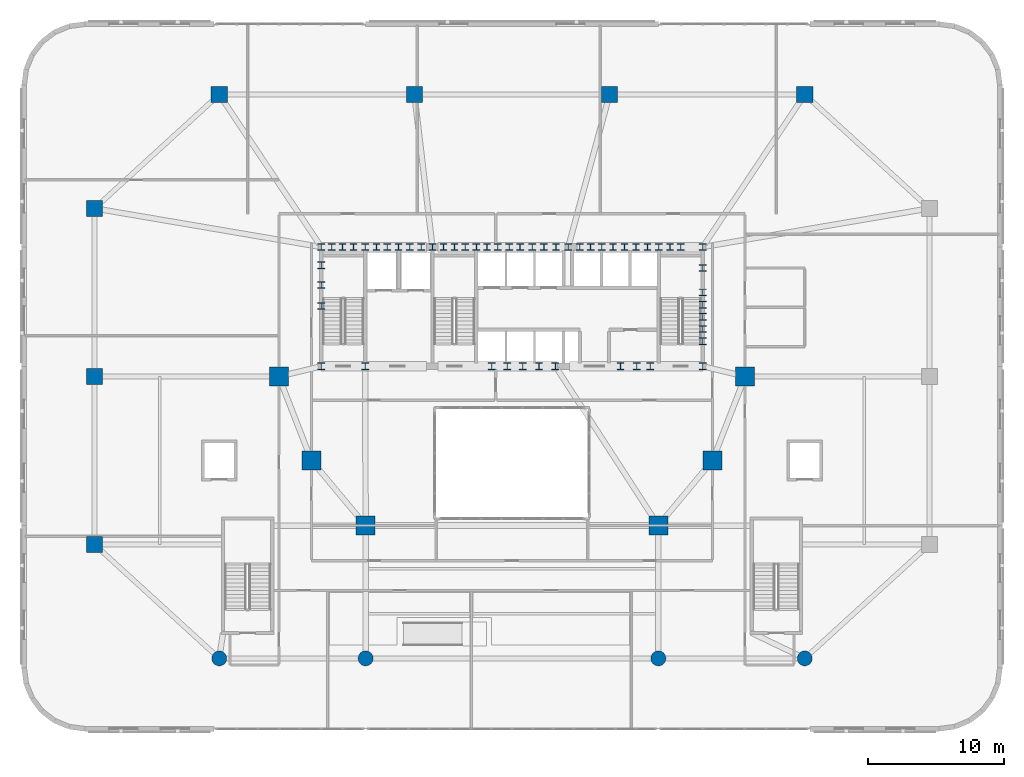
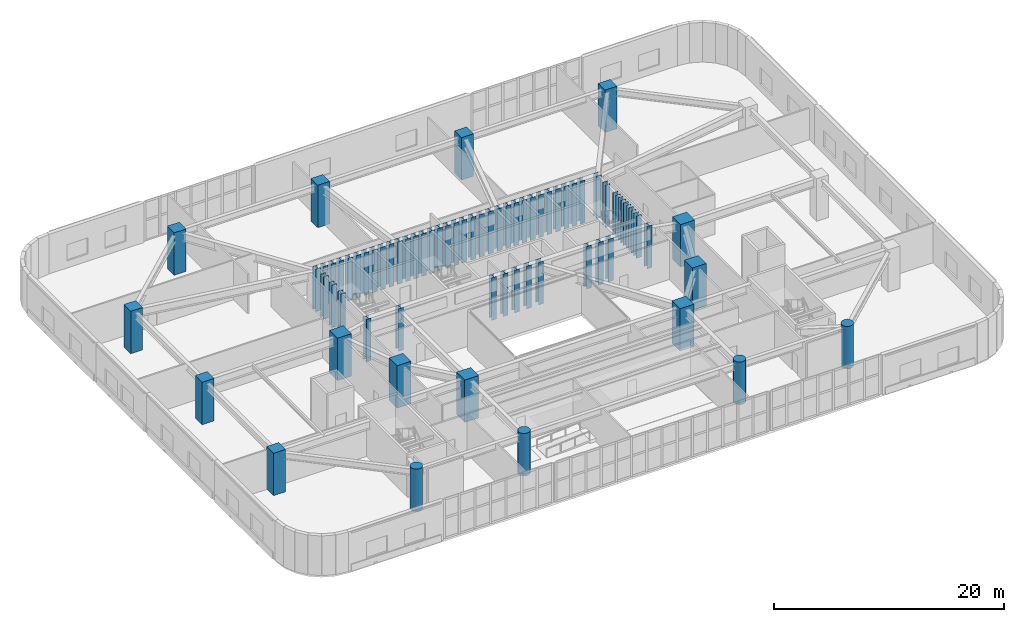
# One storey, part 1 of 25: 71 columns.
"""IFC4 building model written with IfcOpenShell, lengths in metres."""

from ifc_helpers import new_model, si_unit, direction, frame, origin, origin_2d, place, context, subcontext, project, spatial, rectangle, circle, i_section, extrude, material, material_profile, profile_set, type_object, element, save


model = new_model("IFC4")

# Units and contexts
model_context = context("Model", 3, precision=1e-05, world=origin(), true_north=direction((0.0, 1.0)))
body_context = subcontext(model_context, "Body", "Model", "MODEL_VIEW")
ifc_project = project(units=[si_unit("LENGTHUNIT", "METRE"), si_unit("AREAUNIT", "SQUARE_METRE"), si_unit("VOLUMEUNIT", "CUBIC_METRE"), si_unit("PLANEANGLEUNIT", "RADIAN"), si_unit("MASSUNIT", "GRAM", prefix="KILO")], contexts=[model_context])

# Site, building, storey
site_placement = place(None, origin())
site = spatial("IfcSite", under=ifc_project, at=site_placement, CompositionType="ELEMENT")
building_placement = place(site_placement, origin())
building = spatial("IfcBuilding", under=site, at=building_placement, Name="Haldorwick Loom Tower", CompositionType="ELEMENT")
storey_placement = place(building_placement, frame((0.0, 0.0, 6.0)))
storey = spatial("IfcBuildingStorey", under=building, at=storey_placement, Name="L01", CompositionType="ELEMENT", Elevation=6.0)

# Columns
ifc_material_1 = material(Name="Concrete C60 (60 MPa)", Category="concrete")
ifc_material_profile_1 = material_profile(ifc_material_1, rectangle(XDim=1.39990234375, YDim=1.39990234375, at=origin_2d()), Name="RC1400X1400", Category="concrete")
ifc_profile_set_1 = profile_set([ifc_material_profile_1], Name="Concrete C60 (60 MPa)")
column_type_1 = type_object("IfcColumnType", Name="STR-COL-MEGA1400", PredefinedType="COLUMN", material=ifc_profile_set_1)
for number, where, z_axis, x_axis, name in (
    (1, (53.199951171875, 26.0, 0.0), (0.0, 0.0, 1.0), (1.0, 0.0, 0.0), "L01 Inner Column IC-01"),
    (2, (50.800048828125, 19.800048828125, 0.0), (0.0, 0.0, 1.0), (1.0, 0.0, 0.0), "L01 Inner Column IC-02"),
    (3, (21.199951171875, 19.800048828125, 0.0), (0.0, 0.0, 1.0), (1.0, 0.0, 0.0), "L01 Inner Column IC-07"),
    (4, (18.800048828125, 26.0, 0.0), (0.0, 0.0, 1.0), (1.0, 0.0, 0.0), "L01 Inner Column IC-08"),
    (5, (25.199951171875, 15.0, 0.0), (0.0, 0.0, 1.0), (1.0, 0.0, 0.0), "L01 Podium Column PC-TW"),
    (6, (46.800048828125, 15.0, 0.0), (0.0, 0.0, 1.0), (1.0, 0.0, 0.0), "L01 Podium Column PC-TE"),
):
    element("IfcColumn", number, at=place(storey_placement, frame(where, z_axis=z_axis, x_axis=x_axis)), inside=storey, type_object=column_type_1, Name=name, PredefinedType="COLUMN", context=body_context, shape_type="SweptSolid", body=[
        extrude(rectangle(XDim=1.39990234375, YDim=1.39990234375, at=origin_2d()), origin(), (0.0, 0.0, 1.0), 4.5),
    ])
ifc_material_profile_2 = material_profile(ifc_material_1, rectangle(XDim=1.199951171875, YDim=1.199951171875, at=origin_2d()), Name="RC1200X1200", Category="concrete")
ifc_profile_set_2 = profile_set([ifc_material_profile_2], Name="Concrete C60 (60 MPa)")
column_type_2 = type_object("IfcColumnType", Name="STR-COL-RC1200", PredefinedType="COLUMN", material=ifc_profile_set_2)
for number, where, z_axis, x_axis, name in (
    (7, (14.39990234375, 46.800048828125, 0.0), (0.0, 0.0, 1.0), (1.0, 0.0, 0.0), "L01 Podium Column PC-N1"),
    (8, (28.800048828125, 46.800048828125, 0.0), (0.0, 0.0, 1.0), (1.0, 0.0, 0.0), "L01 Podium Column PC-N2"),
    (9, (43.199951171875, 46.800048828125, 0.0), (0.0, 0.0, 1.0), (1.0, 0.0, 0.0), "L01 Podium Column PC-N3"),
    (10, (57.60009765625, 46.800048828125, 0.0), (0.0, 0.0, 1.0), (1.0, 0.0, 0.0), "L01 Podium Column PC-N4"),
    (11, (5.199951171875, 13.60009765625, 0.0), (0.0, 0.0, 1.0), (1.0, 0.0, 0.0), "L01 Podium Column PC-W1"),
    (12, (5.199951171875, 26.0, 0.0), (0.0, 0.0, 1.0), (1.0, 0.0, 0.0), "L01 Podium Column PC-W2"),
    (13, (5.199951171875, 38.39990234375, 0.0), (0.0, 0.0, 1.0), (1.0, 0.0, 0.0), "L01 Podium Column PC-W3"),
):
    element("IfcColumn", number, at=place(storey_placement, frame(where, z_axis=z_axis, x_axis=x_axis)), inside=storey, type_object=column_type_2, Name=name, PredefinedType="COLUMN", context=body_context, shape_type="SweptSolid", body=[
        extrude(rectangle(XDim=1.199951171875, YDim=1.199951171875, at=origin_2d()), origin(), (0.0, 0.0, 1.0), 4.5),
    ])
ifc_material_profile_3 = material_profile(ifc_material_1, circle(Radius=0.550048828125, at=origin_2d()), Name="RCD1100", Category="concrete")
ifc_profile_set_3 = profile_set([ifc_material_profile_3], Name="Concrete C60 (60 MPa)")
column_type_3 = type_object("IfcColumnType", Name="STR-COL-RCD1100", PredefinedType="COLUMN", material=ifc_profile_set_3)
for number, where, z_axis, x_axis, name in (
    (14, (14.39990234375, 5.199951171875, 0.0), (0.0, 0.0, 1.0), (1.0, 0.0, 0.0), "L01 Podium Column PC-S1"),
    (15, (25.199951171875, 5.199951171875, 0.0), (0.0, 0.0, 1.0), (1.0, 0.0, 0.0), "L01 Podium Column PC-S2"),
    (16, (46.800048828125, 5.199951171875, 0.0), (0.0, 0.0, 1.0), (1.0, 0.0, 0.0), "L01 Podium Column PC-S3"),
    (17, (57.60009765625, 5.199951171875, 0.0), (0.0, 0.0, 1.0), (1.0, 0.0, 0.0), "L01 Podium Column PC-S4"),
):
    element("IfcColumn", number, at=place(storey_placement, frame(where, z_axis=z_axis, x_axis=x_axis)), inside=storey, type_object=column_type_3, Name=name, PredefinedType="COLUMN", context=body_context, shape_type="SweptSolid", body=[
        extrude(circle(Radius=0.550048828125, at=origin_2d()), origin(), (0.0, 0.0, 1.0), 4.5),
    ])
ifc_material_2 = material(Name="Steel CSA G40.21 350WT", Category="steel")
ifc_material_profile_4 = material_profile(ifc_material_2, i_section(OverallWidth=0.5, OverallDepth=0.5, WebThickness=0.02197265625, FlangeThickness=0.031982421875, at=origin_2d()), Name="WWF500X500", Category="steel")
ifc_profile_set_4 = profile_set([ifc_material_profile_4], Name="Steel CSA G40.21 350WT")
column_type_4 = type_object("IfcColumnType", Name="STR-COL-WWF500", PredefinedType="COLUMN", material=ifc_profile_set_4)
for number, where, z_axis, x_axis, name in (
    (18, (21.929931640625, 35.550048828125, 0.0), (0.0, 0.0, 1.0), (1.0, 0.0, 0.0), "L01 Core Pilaster CB-01"),
    (19, (23.5, 35.550048828125, 0.0), (0.0, 0.0, 1.0), (1.0, 0.0, 0.0), "L01 Core Pilaster CB-02"),
    (20, (25.169921875, 35.550048828125, 0.0), (0.0, 0.0, 1.0), (1.0, 0.0, 0.0), "L01 Core Pilaster CB-03"),
    (21, (26.800048828125, 35.550048828125, 0.0), (0.0, 0.0, 1.0), (1.0, 0.0, 0.0), "L01 Core Pilaster CB-04"),
    (22, (28.449951171875, 35.550048828125, 0.0), (0.0, 0.0, 1.0), (1.0, 0.0, 0.0), "L01 Core Pilaster CB-05"),
    (23, (30.1298828125, 35.550048828125, 0.0), (0.0, 0.0, 1.0), (1.0, 0.0, 0.0), "L01 Core Pilaster CB-06"),
    (24, (31.75, 35.550048828125, 0.0), (0.0, 0.0, 1.0), (1.0, 0.0, 0.0), "L01 Core Pilaster CB-07"),
    (25, (33.3701171875, 35.550048828125, 0.0), (0.0, 0.0, 1.0), (1.0, 0.0, 0.0), "L01 Core Pilaster CB-08"),
    (26, (34.949951171875, 35.550048828125, 0.0), (0.0, 0.0, 1.0), (1.0, 0.0, 0.0), "L01 Core Pilaster CB-09"),
    (27, (36.60009765625, 35.550048828125, 0.0), (0.0, 0.0, 1.0), (1.0, 0.0, 0.0), "L01 Core Pilaster CB-10"),
    (28, (38.35009765625, 35.550048828125, 0.0), (0.0, 0.0, 1.0), (1.0, 0.0, 0.0), "L01 Core Pilaster CB-11"),
    (29, (40.14990234375, 35.550048828125, 0.0), (0.0, 0.0, 1.0), (1.0, 0.0, 0.0), "L01 Core Pilaster CB-12"),
    (30, (41.800048828125, 35.550048828125, 0.0), (0.0, 0.0, 1.0), (1.0, 0.0, 0.0), "L01 Core Pilaster CB-13"),
    (31, (43.449951171875, 35.550048828125, 0.0), (0.0, 0.0, 1.0), (1.0, 0.0, 0.0), "L01 Core Pilaster CB-14"),
    (32, (45.14990234375, 35.550048828125, 0.0), (0.0, 0.0, 1.0), (1.0, 0.0, 0.0), "L01 Core Pilaster CB-15"),
    (33, (46.830078125, 35.550048828125, 0.0), (0.0, 0.0, 1.0), (1.0, 0.0, 0.0), "L01 Core Pilaster CB-16"),
    (34, (48.449951171875, 35.550048828125, 0.0), (0.0, 0.0, 1.0), (1.0, 0.0, 0.0), "L01 Core Pilaster CB-17"),
    (35, (50.070068359375, 35.550048828125, 0.0), (0.0, 0.0, 1.0), (1.0, 0.0, 0.0), "L01 Core Pilaster CB-18"),
    (36, (21.929931640625, 26.75, 0.0), (0.0, 0.0, 1.0), (1.0, 0.0, 0.0), "L01 Core Pilaster CB-19"),
    (37, (25.169921875, 26.75, 0.0), (0.0, 0.0, 1.0), (1.0, 0.0, 0.0), "L01 Core Pilaster CB-20"),
    (38, (34.5, 26.75, 0.0), (0.0, 0.0, 1.0), (1.0, 0.0, 0.0), "L01 Core Pilaster CB-21"),
    (39, (36.800048828125, 26.75, 0.0), (0.0, 0.0, 1.0), (1.0, 0.0, 0.0), "L01 Core Pilaster CB-22"),
    (40, (39.199951171875, 26.75, 0.0), (0.0, 0.0, 1.0), (1.0, 0.0, 0.0), "L01 Core Pilaster CB-23"),
    (41, (45.199951171875, 26.75, 0.0), (0.0, 0.0, 1.0), (1.0, 0.0, 0.0), "L01 Core Pilaster CB-24"),
    (42, (50.070068359375, 26.75, 0.0), (0.0, 0.0, 1.0), (1.0, 0.0, 0.0), "L01 Core Pilaster CB-25"),
    (43, (21.929931640625, 31.199951171875, 0.0), (0.0, 0.0, 1.0), (1.0, 0.0, 0.0), "L01 Core Pilaster CB-26"),
    (44, (21.929931640625, 32.75, 0.0), (0.0, 0.0, 1.0), (1.0, 0.0, 0.0), "L01 Core Pilaster CB-27"),
    (45, (21.929931640625, 34.199951171875, 0.0), (0.0, 0.0, 1.0), (1.0, 0.0, 0.0), "L01 Core Pilaster CB-28"),
    (46, (50.070068359375, 28.60009765625, 0.0), (0.0, 0.0, 1.0), (1.0, 0.0, 0.0), "L01 Core Pilaster CB-29"),
    (47, (50.070068359375, 30.39990234375, 0.0), (0.0, 0.0, 1.0), (1.0, 0.0, 0.0), "L01 Core Pilaster CB-30"),
    (48, (50.070068359375, 32.199951171875, 0.0), (0.0, 0.0, 1.0), (1.0, 0.0, 0.0), "L01 Core Pilaster CB-31"),
    (49, (50.070068359375, 34.0, 0.0), (0.0, 0.0, 1.0), (1.0, 0.0, 0.0), "L01 Core Pilaster CB-32"),
    (50, (22.699951171875, 35.550048828125, 0.0), (0.0, 0.0, 1.0), (1.0, 0.0, 0.0), "L01 Core Pilaster CB-33"),
    (51, (27.6201171875, 35.550048828125, 0.0), (0.0, 0.0, 1.0), (1.0, 0.0, 0.0), "L01 Core Pilaster CB-34"),
    (52, (32.550048828125, 35.550048828125, 0.0), (0.0, 0.0, 1.0), (1.0, 0.0, 0.0), "L01 Core Pilaster CB-35"),
    (53, (37.5, 35.550048828125, 0.0), (0.0, 0.0, 1.0), (1.0, 0.0, 0.0), "L01 Core Pilaster CB-36"),
    (54, (42.6201171875, 35.550048828125, 0.0), (0.0, 0.0, 1.0), (1.0, 0.0, 0.0), "L01 Core Pilaster CB-37"),
    (55, (47.64990234375, 35.550048828125, 0.0), (0.0, 0.0, 1.0), (1.0, 0.0, 0.0), "L01 Core Pilaster CB-38"),
    (56, (24.300048828125, 35.550048828125, 0.0), (0.0, 0.0, 1.0), (1.0, 0.0, 0.0), "L01 Core Pilaster CB-39"),
    (57, (26.0, 35.550048828125, 0.0), (0.0, 0.0, 1.0), (1.0, 0.0, 0.0), "L01 Core Pilaster CB-40"),
    (58, (29.300048828125, 35.550048828125, 0.0), (0.0, 0.0, 1.0), (1.0, 0.0, 0.0), "L01 Core Pilaster CB-41"),
    (59, (30.949951171875, 35.550048828125, 0.0), (0.0, 0.0, 1.0), (1.0, 0.0, 0.0), "L01 Core Pilaster CB-42"),
    (60, (34.14990234375, 35.550048828125, 0.0), (0.0, 0.0, 1.0), (1.0, 0.0, 0.0), "L01 Core Pilaster CB-43"),
    (61, (35.800048828125, 35.550048828125, 0.0), (0.0, 0.0, 1.0), (1.0, 0.0, 0.0), "L01 Core Pilaster CB-44"),
    (62, (39.25, 35.550048828125, 0.0), (0.0, 0.0, 1.0), (1.0, 0.0, 0.0), "L01 Core Pilaster CB-45"),
    (63, (41.0, 35.550048828125, 0.0), (0.0, 0.0, 1.0), (1.0, 0.0, 0.0), "L01 Core Pilaster CB-46"),
    (64, (44.300048828125, 35.550048828125, 0.0), (0.0, 0.0, 1.0), (1.0, 0.0, 0.0), "L01 Core Pilaster CB-47"),
    (65, (46.0, 35.550048828125, 0.0), (0.0, 0.0, 1.0), (1.0, 0.0, 0.0), "L01 Core Pilaster CB-48"),
    (66, (50.070068359375, 29.5, 0.0), (0.0, 0.0, 1.0), (1.0, 0.0, 0.0), "L01 Core Pilaster CB-49"),
    (67, (50.070068359375, 31.300048828125, 0.0), (0.0, 0.0, 1.0), (1.0, 0.0, 0.0), "L01 Core Pilaster CB-50"),
    (68, (35.64990234375, 26.75, 0.0), (0.0, 0.0, 1.0), (1.0, 0.0, 0.0), "L01 Core Pilaster CB-51"),
    (69, (38.0, 26.75, 0.0), (0.0, 0.0, 1.0), (1.0, 0.0, 0.0), "L01 Core Pilaster CB-52"),
    (70, (44.0, 26.75, 0.0), (0.0, 0.0, 1.0), (1.0, 0.0, 0.0), "L01 Core Pilaster CB-53"),
    (71, (46.199951171875, 26.75, 0.0), (0.0, 0.0, 1.0), (1.0, 0.0, 0.0), "L01 Core Pilaster CB-54"),
):
    element("IfcColumn", number, at=place(storey_placement, frame(where, z_axis=z_axis, x_axis=x_axis)), inside=storey, type_object=column_type_4, Name=name, PredefinedType="COLUMN", context=body_context, shape_type="SweptSolid", body=[
        extrude(i_section(OverallWidth=0.5, OverallDepth=0.5, WebThickness=0.02197265625, FlangeThickness=0.031982421875, at=origin_2d()), origin(), (0.0, 0.0, 1.0), 4.5),
    ])

save(model, "model.ifc")
